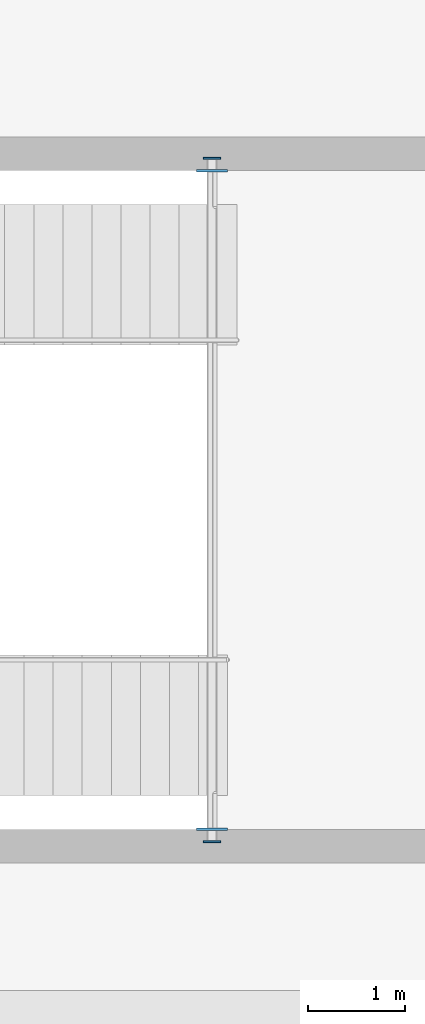
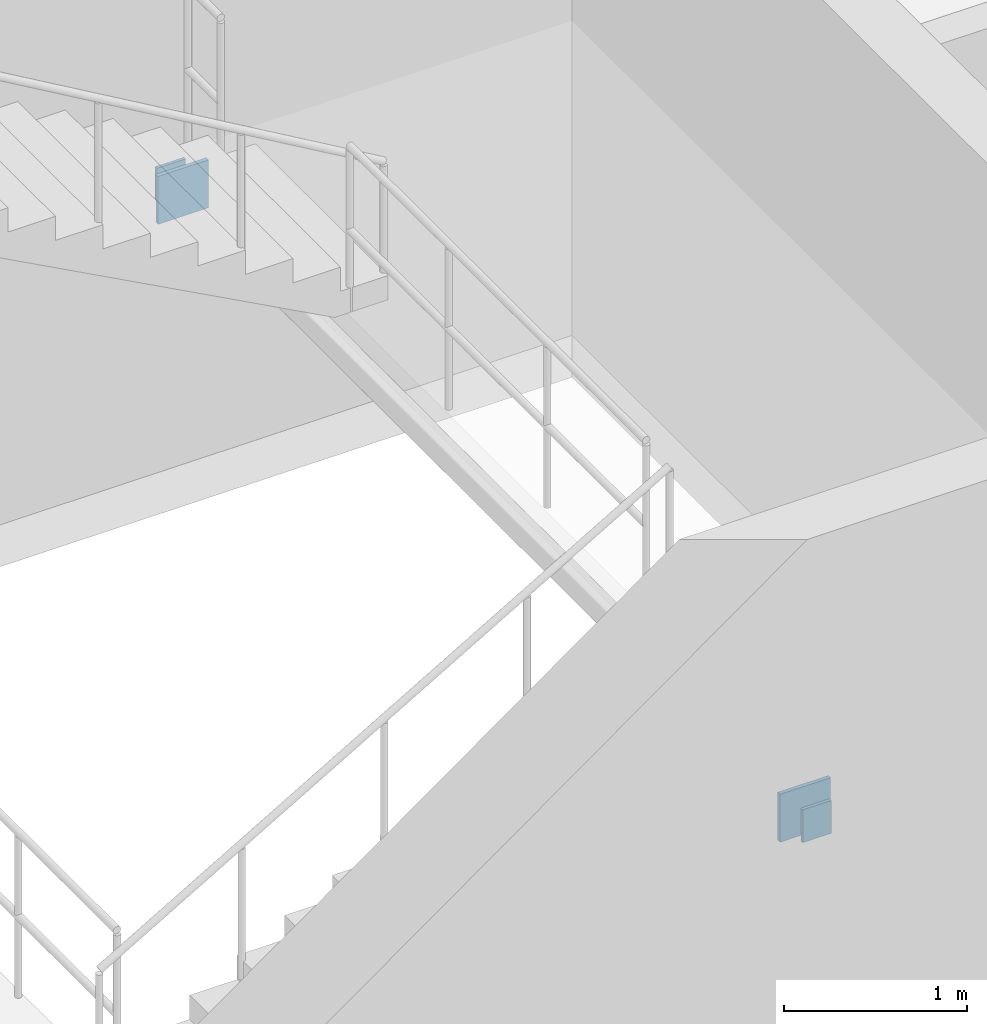
# One storey, part 17 of 35: 4 plates.
"""IFC4 building model written with IfcOpenShell, lengths in metres."""

import ifcopenshell
import ifcopenshell.guid

model = None  # the IFC model being written
_history = None  # IfcOwnerHistory: only IFC2X3 demands one
_inside = {}  # id of a spatial element -> (the spatial element, [elements in it])
_under = {}  # id of a project, library or spatial element -> (it, [spatial elements below it])
_declared = {}  # id of a project -> (the project, [libraries it declares])
_typed = {}  # id of a type object -> (the type object, [elements of that type])
_made_of = {}  # id of a material, layer set ... -> (it, [elements and type objects made of it])


def new_model(schema):
    """Start an empty IFC model of exactly this schema.

    Asked for "IFC4X3", IfcOpenShell would pick the latest addendum, in which some entities
    have other attributes; the version numbers below select the first issue.
    IFC2X3 requires an IfcOwnerHistory on every rooted entity: one is made here for all.
    """
    global model, _history
    if schema == "IFC4X3":
        model = ifcopenshell.file(schema_version=(4, 3, 0, 0))
    else:
        model = ifcopenshell.file(schema=schema)
    _inside.clear()
    _under.clear()
    _declared.clear()
    _typed.clear()
    _made_of.clear()
    _history = None
    if model.schema == "IFC2X3":
        org = make("IfcOrganization", Name="unknown")
        user = make(
            "IfcPersonAndOrganization",
            ThePerson=make("IfcPerson", FamilyName="unknown"),
            TheOrganization=org,
        )
        app = make(
            "IfcApplication",
            ApplicationDeveloper=org,
            Version="unknown",
            ApplicationFullName="unknown",
            ApplicationIdentifier="unknown",
        )
        _history = make(
            "IfcOwnerHistory",
            OwningUser=user,
            OwningApplication=app,
            ChangeAction="ADDED",
            CreationDate=0,
        )
    return model


def make(cls, **values):
    """One entity of the class cls with the attributes given. An attribute that is None is left unset."""
    return model.create_entity(
        cls, **{name: value for name, value in values.items() if value is not None}
    )


def rooted(cls, **values):
    """An entity with a GlobalId (a new one), such as an element, a storey or a relation."""
    return make(cls, GlobalId=ifcopenshell.guid.new(), OwnerHistory=_history, **values)


def si_unit(unit_type, name, prefix=None):
    """IfcSIUnit, for example si_unit("LENGTHUNIT", "METRE", prefix="MILLI")."""
    return make("IfcSIUnit", UnitType=unit_type, Prefix=prefix, Name=name)


def assignment(units):
    """IfcUnitAssignment: the units of a project."""
    return None if units is None else make("IfcUnitAssignment", Units=units)


def point(xyz):
    """IfcCartesianPoint."""
    return None if xyz is None else make("IfcCartesianPoint", Coordinates=xyz)


def direction(xyz):
    """IfcDirection."""
    return None if xyz is None else make("IfcDirection", DirectionRatios=xyz)


def frame(location, z_axis=None, x_axis=None):
    """IfcAxis2Placement3D, a coordinate frame: its origin and axes. An axis left out is left unset."""
    return make(
        "IfcAxis2Placement3D",
        Location=point(location),
        Axis=direction(z_axis),
        RefDirection=direction(x_axis),
    )


def frame_2d(location, x_axis=None):
    """IfcAxis2Placement2D, a coordinate frame in the plane: its origin and x axis."""
    return make(
        "IfcAxis2Placement2D", Location=point(location), RefDirection=direction(x_axis)
    )


def origin():
    """The frame at (0, 0, 0) with its axes left unset."""
    return frame((0.0, 0.0, 0.0))


def origin_2d():
    """The frame at (0, 0) in the plane with its x axis left unset."""
    return frame_2d((0.0, 0.0))


def place(relative_to, where):
    """IfcLocalPlacement: puts the frame where relative to a parent placement (None: the world)."""
    return make(
        "IfcLocalPlacement", PlacementRelTo=relative_to, RelativePlacement=where
    )


def context(
    kind, dimensions, precision=None, world=None, true_north=None, identifier=None
):
    """IfcGeometricRepresentationContext, for example the 3D "Model" context."""
    return make(
        "IfcGeometricRepresentationContext",
        ContextIdentifier=identifier,
        ContextType=kind,
        CoordinateSpaceDimension=dimensions,
        Precision=precision,
        WorldCoordinateSystem=world,
        TrueNorth=true_north,
    )


def subcontext(parent, identifier, kind, view, scale=None):
    """IfcGeometricRepresentationSubContext, for example "Body" below "Model"."""
    return make(
        "IfcGeometricRepresentationSubContext",
        ContextIdentifier=identifier,
        ContextType=kind,
        ParentContext=parent,
        TargetScale=scale,
        TargetView=view,
    )


def project(units=None, contexts=None):
    """IfcProject with its units and contexts."""
    return rooted(
        "IfcProject",
        Name="project",
        RepresentationContexts=contexts,
        UnitsInContext=assignment(units),
    )


def spatial(cls, under=None, at=None, **own):
    """A site, building, storey or space (cls), placed at a placement, below another one or the project."""
    s = rooted(cls, ObjectPlacement=at, **own)
    if under is not None:
        _under.setdefault(under.id(), (under, []))[1].append(s)
    return s


def profile(cls, at=None, kind="AREA", **sizes):
    """A parametric profile (cls). Its sizes go by their IFC names, for example OverallWidth=200.0."""
    return make(cls, ProfileType=kind, Position=at, **sizes)


def rectangle(**sizes):
    """IfcRectangleProfileDef."""
    return profile("IfcRectangleProfileDef", **sizes)


def extrude(swept, where, along, depth):
    """IfcExtrudedAreaSolid: the profile swept, set in the frame where, extruded along a direction by depth."""
    return make(
        "IfcExtrudedAreaSolid",
        SweptArea=swept,
        Position=where,
        ExtrudedDirection=direction(along),
        Depth=depth,
    )


def shape(context_of_items, identifier, shape_type, items):
    """IfcShapeRepresentation: the items that make up one representation, for example the "Body"."""
    return make(
        "IfcShapeRepresentation",
        ContextOfItems=context_of_items,
        RepresentationIdentifier=identifier,
        RepresentationType=shape_type,
        Items=items,
    )


def material(Name=None, Category=None):
    """IfcMaterial."""
    return make("IfcMaterial", Name=Name, Category=Category)


def layer(
    of_material, thickness, ventilated=None, Name=None, Category=None, Priority=None
):
    """IfcMaterialLayer: one layer of a wall or slab, of a material (None: an air gap)."""
    return make(
        "IfcMaterialLayer",
        Material=of_material,
        LayerThickness=thickness,
        IsVentilated=ventilated,
        Name=Name,
        Category=Category,
        Priority=Priority,
    )


def layer_set(layers, Name=None):
    """IfcMaterialLayerSet."""
    return make("IfcMaterialLayerSet", MaterialLayers=layers, LayerSetName=Name)


def made_of(thing, what):
    """Note that an element or type object is made of a material, layer set ...; save() writes the relation."""
    if what is not None:
        _made_of.setdefault(what.id(), (what, []))[1].append(thing)
    return thing


def type_object(cls, material=None, **own):
    """A type object (cls), such as IfcWallType, which elements share."""
    return made_of(rooted(cls, **own), material)


def element(
    cls,
    number,
    at=None,
    inside=None,
    cuts=None,
    type_object=None,
    material=None,
    context=None,
    identifier="Body",
    shape_type=None,
    held_by="IfcProductDefinitionShape",
    body=None,
    shapes=None,
    **own,
):
    """One element of the class cls, such as IfcWall. Its Tag is "e" and its number.

    at: its placement. inside: the storey or other place that contains it. cuts: it is an
    opening in that element (IfcRelVoidsElement). A single representation is given by context,
    identifier, shape_type and body (its items); several are given by shapes. held_by: the class
    of the entity that holds the representations. save() writes the other relations.
    """
    e = rooted(cls, Tag="e%d" % number, ObjectPlacement=at, **own)
    if body is not None:
        shapes = [shape(context, identifier, shape_type, body)]
    if shapes is not None:
        e.Representation = make(held_by, Representations=shapes)
    if inside is not None:
        _inside.setdefault(inside.id(), (inside, []))[1].append(e)
    if cuts is not None:
        rooted(
            "IfcRelVoidsElement", RelatingBuildingElement=cuts, RelatedOpeningElement=e
        )
    if type_object is not None:
        _typed.setdefault(type_object.id(), (type_object, []))[1].append(e)
    return made_of(e, material)


def aggregate(whole, parts):
    """IfcRelAggregates: a whole, such as a stair, and the parts it consists of."""
    return rooted("IfcRelAggregates", RelatingObject=whole, RelatedObjects=parts)


def save(model, path):
    """Write the relations noted so far, then the file.

    IfcRelAggregates (storeys below a building ...), IfcRelContainedInSpatialStructure (elements
    in a storey), IfcRelDefinesByType, IfcRelAssociatesMaterial and IfcRelDeclares: one each for
    every whole, place, type object, material and project.
    """
    for whole, parts in _under.values():
        aggregate(whole, parts)
    for where, things in _inside.values():
        rooted(
            "IfcRelContainedInSpatialStructure",
            RelatedElements=things,
            RelatingStructure=where,
        )
    for kind, things in _typed.values():
        rooted("IfcRelDefinesByType", RelatedObjects=things, RelatingType=kind)
    for what, things in _made_of.values():
        rooted("IfcRelAssociatesMaterial", RelatedObjects=things, RelatingMaterial=what)
    for by, libraries in _declared.values():
        rooted("IfcRelDeclares", RelatingContext=by, RelatedDefinitions=libraries)
    model.write(path)


model = new_model("IFC4")

# Units and contexts
model_context = context("Model", 3, precision=1e-05, world=origin(), true_north=direction((0.0, 1.0)))
body_context = subcontext(model_context, "Body", "Model", "MODEL_VIEW")
ifc_project = project(units=[si_unit("LENGTHUNIT", "METRE"), si_unit("AREAUNIT", "SQUARE_METRE"), si_unit("VOLUMEUNIT", "CUBIC_METRE"), si_unit("PLANEANGLEUNIT", "RADIAN"), si_unit("MASSUNIT", "GRAM", prefix="KILO"), si_unit("THERMODYNAMICTEMPERATUREUNIT", "KELVIN"), si_unit("POWERUNIT", "WATT")], contexts=[model_context])

# Site, building, storey
site_placement = place(None, origin())
site = spatial("IfcSite", under=ifc_project, at=site_placement, CompositionType="ELEMENT")
building_placement = place(site_placement, origin())
building = spatial("IfcBuilding", under=site, at=building_placement, Name="Solvatero Civic Police Headquarters", CompositionType="ELEMENT")
storey_placement = place(building_placement, frame((0.0, 0.0, -4.199951171875)))
storey = spatial("IfcBuildingStorey", under=building, at=storey_placement, Name="B01", CompositionType="ELEMENT", Elevation=-4.199951171875)

# Plates
ifc_material = material(Name="Steel S355", Category="steel")
ifc_layer_1 = layer(ifc_material, 0.02001953125)
ifc_layer_set_1 = layer_set([ifc_layer_1], Name="Steel S355")
plate_type_1 = type_object("IfcPlateType", Name="PLT-CAP-20", PredefinedType="SHEET", material=ifc_layer_set_1)
for number, where, z_axis, x_axis, name in (
    (1, (89.93994140625, 75.070068359375, 1.71484375), (0.0, 0.0, 1.0), (1.0, 0.0, 0.0), "Hollow Section Cap Plate 0039"),
    (2, (89.93994140625, 82.1298828125, 1.71484375), (0.0, 0.0, 1.0), (1.0, 0.0, 0.0), "Hollow Section Cap Plate 0040"),
):
    element("IfcPlate", number, at=place(storey_placement, frame(where, z_axis=z_axis, x_axis=x_axis)), inside=storey, type_object=plate_type_1, Name=name, PredefinedType="SHEET", context=body_context, shape_type="SweptSolid", body=[
        extrude(rectangle(XDim=0.179931640625, YDim=0.02001953125, at=origin_2d()), origin(), (0.0, 0.0, 1.0), 0.219970703125),
    ])
ifc_layer_2 = layer(ifc_material, 0.02490234375)
ifc_layer_set_2 = layer_set([ifc_layer_2], Name="Steel S355")
plate_type_2 = type_object("IfcPlateType", Name="PLT-EMB-25", PredefinedType="SHEET", material=ifc_layer_set_2)
for number, where, z_axis, x_axis, name in (
    (3, (89.93994140625, 75.199951171875, 1.6650390625), (0.0, 0.0, 1.0), (1.0, 0.0, 0.0), "Cast-In Shear Wall Embed Plate 0039"),
    (4, (89.93994140625, 82.0, 1.6650390625), (0.0, 0.0, 1.0), (1.0, 0.0, 0.0), "Cast-In Shear Wall Embed Plate 0040"),
):
    element("IfcPlate", number, at=place(storey_placement, frame(where, z_axis=z_axis, x_axis=x_axis)), inside=storey, type_object=plate_type_2, Name=name, PredefinedType="SHEET", context=body_context, shape_type="SweptSolid", body=[
        extrude(rectangle(XDim=0.320068359375, YDim=0.02490234375, at=origin_2d()), origin(), (0.0, 0.0, 1.0), 0.320068359375),
    ])

save(model, "model.ifc")
